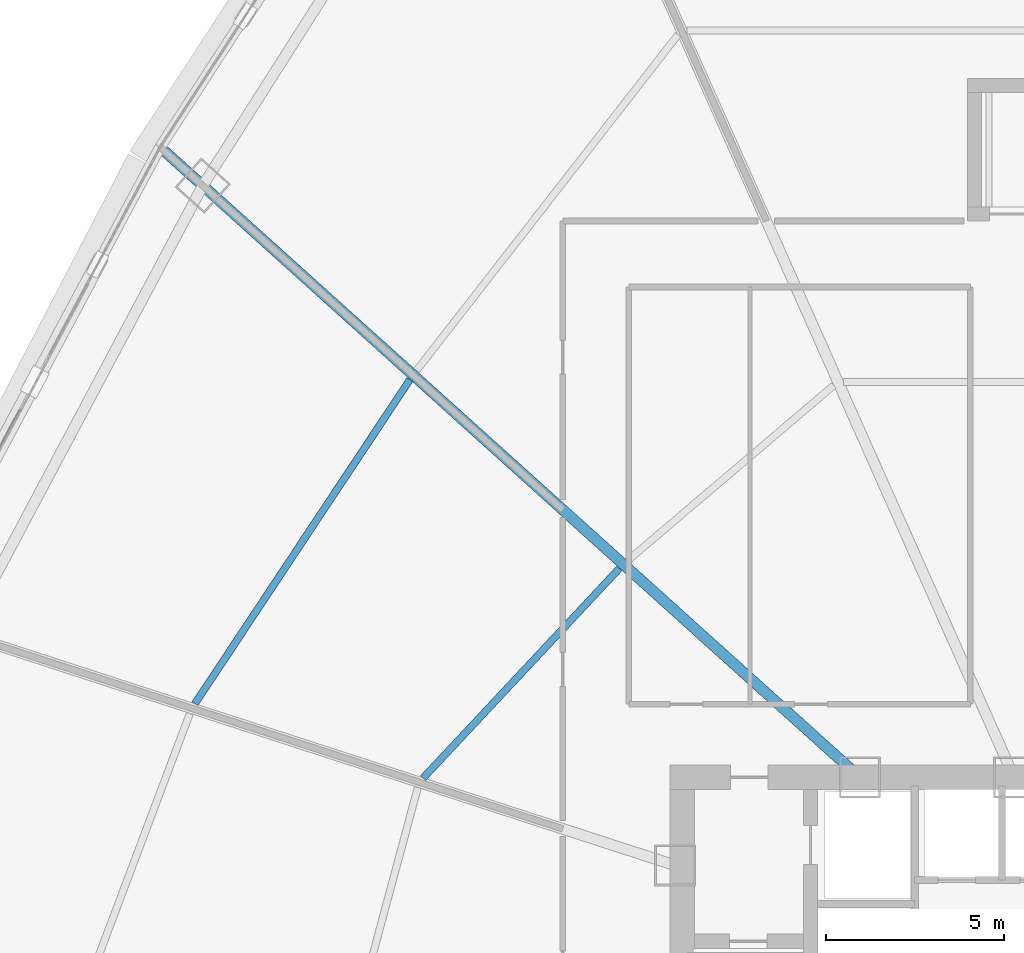
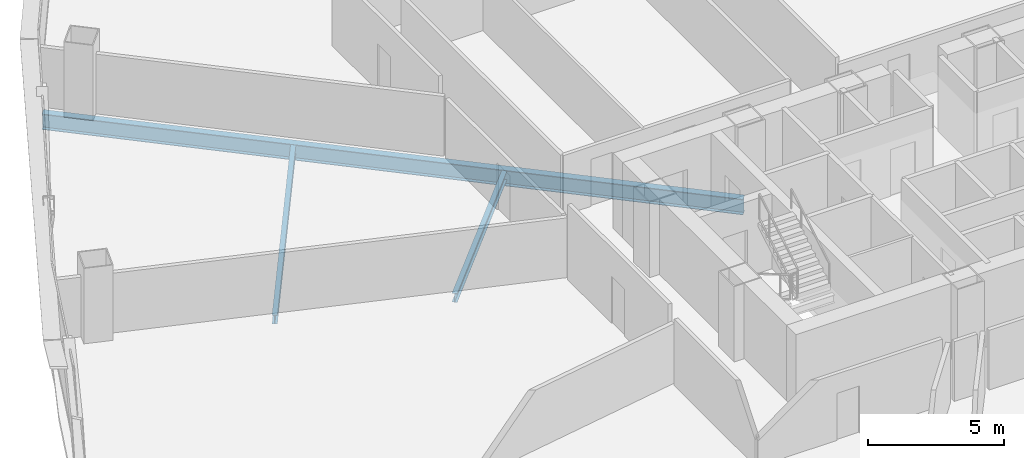
# One storey, part 15 of 42: 3 beams.
"""IFC4 building model written with IfcOpenShell, lengths in metres."""

from ifc_helpers import new_model, si_unit, direction, frame, origin, origin_2d, place, context, subcontext, project, spatial, i_section, extrude, source, transform, mapped, material, material_profile, profile_set, type_object, element, save


model = new_model("IFC4")

# Units and contexts
model_context = context("Model", 3, precision=1e-05, world=origin(), true_north=direction((0.0, 1.0)))
body_context = subcontext(model_context, "Body", "Model", "MODEL_VIEW")
ifc_project = project(units=[si_unit("LENGTHUNIT", "METRE"), si_unit("AREAUNIT", "SQUARE_METRE"), si_unit("VOLUMEUNIT", "CUBIC_METRE"), si_unit("PLANEANGLEUNIT", "RADIAN"), si_unit("MASSUNIT", "GRAM", prefix="KILO"), si_unit("THERMODYNAMICTEMPERATUREUNIT", "KELVIN"), si_unit("POWERUNIT", "WATT")], contexts=[model_context])

# Site, building, storey
site_placement = place(None, origin())
site = spatial("IfcSite", under=ifc_project, at=site_placement, CompositionType="ELEMENT")
building_placement = place(site_placement, origin())
building = spatial("IfcBuilding", under=site, at=building_placement, Name="Yunzhuo Pagoda Commons", CompositionType="ELEMENT")
storey_placement = place(building_placement, frame((0.0, 0.0, 41.2900390625)))
storey = spatial("IfcBuildingStorey", under=building, at=storey_placement, Name="L10", CompositionType="ELEMENT", Elevation=41.2900390625)

# Beams
ifc_material = material(Name="Structural steel Q355B", Category="steel")
ifc_material_profile_1 = material_profile(ifc_material, i_section(OverallWidth=0.199951171875, OverallDepth=0.39990234375, WebThickness=0.008056640625, FlangeThickness=0.012939453125, at=origin_2d()), Name="Structural steel Q355B")
ifc_profile_set_1 = profile_set([ifc_material_profile_1], Name="Structural steel Q355B")
beam_type_1 = type_object("IfcBeamType", Name="B-JS1 Joist HN 400x200x8x13", PredefinedType="JOIST", material=ifc_profile_set_1)
shared_shape_1 = source(origin(), body_context, "Body", "SweptSolid", [
    extrude(i_section(OverallWidth=0.199951171875, OverallDepth=0.39990234375, WebThickness=0.008056640625, FlangeThickness=0.012939453125, at=origin_2d()), origin(), (0.0, 0.0, 1.0), 8.055908203125),
])
beam_1_placement = place(storey_placement, frame((34.03759765625, 46.057861328125, -0.4599609375), z_axis=(-0.683432879027, -0.730013355949, 0.0), x_axis=(0.730013355949, -0.683432879027, 0.0)))
element("IfcBeam", 1, at=beam_1_placement, inside=storey, type_object=beam_type_1, Name="L10 composite ring joist 1.10", PredefinedType="JOIST", context=body_context, shape_type="MappedRepresentation", body=[
    mapped(shared_shape_1, transform((0.0, 0.0, 0.0), scale=1.0)),
])
shared_shape_2 = source(origin(), body_context, "Body", "SweptSolid", [
    extrude(i_section(OverallWidth=0.199951171875, OverallDepth=0.39990234375, WebThickness=0.008056640625, FlangeThickness=0.012939453125, at=origin_2d()), origin(), (0.0, 0.0, 1.0), 10.904052734375),
])
beam_2_placement = place(storey_placement, frame((28.160888671875, 51.351806640625, -0.4599609375), z_axis=(-0.552916349928, -0.833236767061, 0.0), x_axis=(0.833236767061, -0.552916349928, 0.0)))
element("IfcBeam", 2, at=beam_2_placement, inside=storey, type_object=beam_type_1, Name="L10 composite ring joist 2.10", PredefinedType="JOIST", context=body_context, shape_type="MappedRepresentation", body=[
    mapped(shared_shape_2, transform((0.0, 0.0, 0.0), scale=1.0)),
])
ifc_material_profile_2 = material_profile(ifc_material, i_section(OverallWidth=0.300048828125, OverallDepth=0.699951171875, WebThickness=0.012939453125, FlangeThickness=0.02392578125, at=origin_2d()), Name="Structural steel Q355B")
ifc_profile_set_2 = profile_set([ifc_material_profile_2], Name="Structural steel Q355B")
beam_type_2 = type_object("IfcBeamType", Name="B-RG1 Beam HN 700x300x13x24", PredefinedType="BEAM", material=ifc_profile_set_2)
shared_shape_3 = source(origin(), body_context, "Body", "SweptSolid", [
    extrude(i_section(OverallWidth=0.300048828125, OverallDepth=0.699951171875, WebThickness=0.012939453125, FlangeThickness=0.02392578125, at=origin_2d()), origin(), (0.0, 0.0, 1.0), 26.257568359375),
])
beam_3_placement = place(storey_placement, frame((21.267822265625, 57.769775390625, -0.610107421875), z_axis=(0.743143409048, -0.66913217946, 0.0), x_axis=(0.66913217946, 0.743143409048, 0.0)))
element("IfcBeam", 3, at=beam_3_placement, inside=storey, type_object=beam_type_2, Name="L10 radial floor girder F3C2", PredefinedType="BEAM", context=body_context, shape_type="MappedRepresentation", body=[
    mapped(shared_shape_3, transform((0.0, 0.0, 0.0), scale=1.0)),
])

save(model, "model.ifc")
